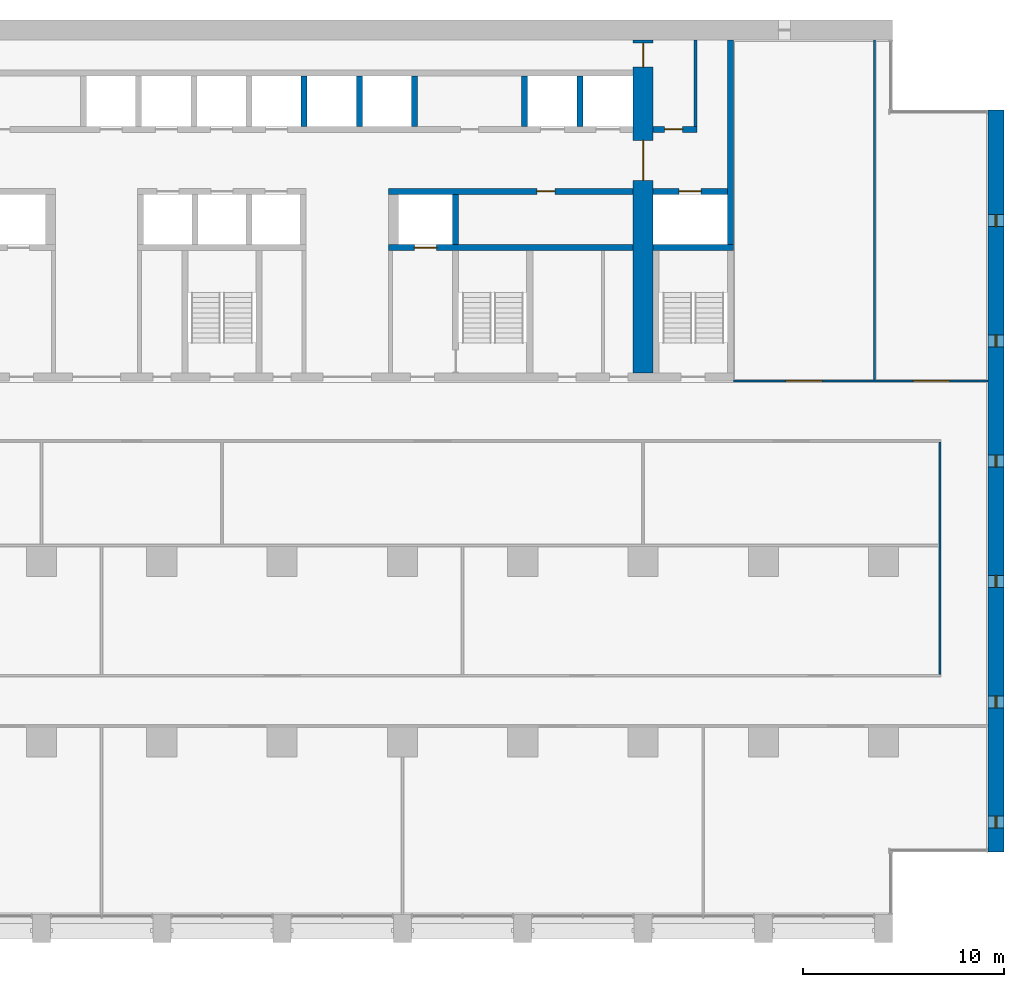
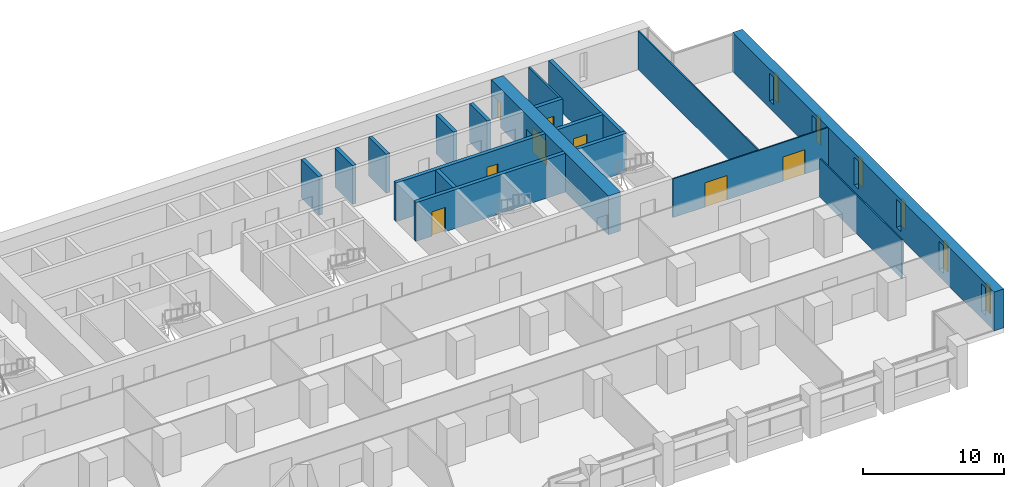
# One storey, part 13 of 18: 18 walls, 8 doors, 6 windows, 14 openings.
"""IFC4 building model written with IfcOpenShell, lengths in metres."""

from ifc_helpers import new_model, si_unit, direction, frame, frame_2d, origin, place, context, subcontext, project, spatial, rectangle, extrude, material, layer, layer_set, type_object, element, fill, save


model = new_model("IFC4")

# Units and contexts
model_context = context("Model", 3, precision=1e-05, world=origin(), true_north=direction((0.0, 1.0)))
body_context = subcontext(model_context, "Body", "Model", "MODEL_VIEW")
ifc_project = project(units=[si_unit("LENGTHUNIT", "METRE"), si_unit("AREAUNIT", "SQUARE_METRE"), si_unit("VOLUMEUNIT", "CUBIC_METRE"), si_unit("PLANEANGLEUNIT", "RADIAN"), si_unit("MASSUNIT", "GRAM", prefix="KILO")], contexts=[model_context])

# Site, building, storey
site_placement = place(None, origin())
site = spatial("IfcSite", under=ifc_project, at=site_placement, CompositionType="ELEMENT")
building_placement = place(site_placement, origin())
building = spatial("IfcBuilding", under=site, at=building_placement, Name="Calvaro Tower", CompositionType="ELEMENT")
storey_placement = place(building_placement, frame((0.0, 0.0, 78.75)))
storey = spatial("IfcBuildingStorey", under=building, at=storey_placement, Name="L19", CompositionType="ELEMENT", Elevation=78.75)

# Wall
ifc_material_1 = material(Name="Blockwork partition", Category="masonry")
ifc_layer_1 = layer(ifc_material_1, 0.14990234375)
ifc_layer_set_1 = layer_set([ifc_layer_1], Name="Blockwork partition")
wall_type_1 = type_object("IfcWallType", Name="Core partition 150 REI 120", PredefinedType="PARTITIONING", material=ifc_layer_set_1)
wall_1_placement = place(storey_placement, frame((62.625, 40.699951171875, 0.0), z_axis=(0.0, 0.0, 1.0), x_axis=(0.0, 1.0, 0.0)))
element("IfcWall", 1, at=wall_1_placement, inside=storey, type_object=wall_type_1, Name="Core partition", PredefinedType="PARTITIONING", context=body_context, shape_type="SweptSolid", body=[
    extrude(rectangle(XDim=4.300048828125, YDim=0.14990234375, at=frame_2d((2.14990234375, 0.0))), origin(), (0.0, 0.0, 1.0), 3.35009765625),
])

# Wall, opening, door
ifc_material_2 = material(Name="Blockwork partition", Category="masonry")
ifc_layer_2 = layer(ifc_material_2, 0.300048828125)
ifc_layer_set_2 = layer_set([ifc_layer_2], Name="Blockwork partition")
wall_type_2 = type_object("IfcWallType", Name="Core partition 300 REI 120", PredefinedType="PARTITIONING", material=ifc_layer_set_2)
wall_2_placement = place(storey_placement, frame((60.5, 40.550048828125, 0.0), z_axis=(0.0, 0.0, 1.0), x_axis=(1.0, 0.0, 0.0)))
wall_2 = element("IfcWall", 2, at=wall_2_placement, inside=storey, type_object=wall_type_2, Name="Core partition", PredefinedType="PARTITIONING", context=body_context, shape_type="SweptSolid", body=[
    extrude(rectangle(XDim=2.199951171875, YDim=0.300048828125, at=frame_2d((1.10009765625, 0.0))), origin(), (0.0, 0.0, 1.0), 3.35009765625),
])
opening_1_placement = place(wall_2_placement, frame((0.574951171875, 0.0, 0.0)))
opening_1 = element("IfcOpeningElement", 3, at=opening_1_placement, cuts=wall_2, Name="Opening RD9E", PredefinedType="OPENING", context=body_context, shape_type="SweptSolid", body=[
    extrude(rectangle(XDim=0.89990234375, YDim=2.10009765625, at=frame_2d((0.449951171875, 1.050048828125))), frame((0.0, 0.159912109375, 0.0), z_axis=(0.0, -1.0, 0.0), x_axis=(1.0, 0.0, 0.0)), (0.0, 0.0, 1.0), 0.320068359375),
])
ifc_material_3 = material(Name="Steel door set", Category="steel")
door_type_1 = type_object("IfcDoorType", Name="Room door 900 FD60", OperationType="SINGLE_SWING_LEFT", PredefinedType="DOOR", material=ifc_material_3)
door_1_placement = place(opening_1_placement, origin())
door_1 = element("IfcDoor", 4, at=door_1_placement, inside=storey, type_object=door_type_1, Name="Room door", OperationType="SINGLE_SWING_LEFT", OverallHeight=2.10009765625, OverallWidth=0.89990234375, PredefinedType="DOOR", context=body_context, shape_type="SweptSolid", body=[
    extrude(rectangle(XDim=0.89990234375, YDim=2.10009765625, at=frame_2d((0.449951171875, 1.050048828125))), frame((0.0, 0.02490234375, 0.0), z_axis=(0.0, -1.0, 0.0), x_axis=(1.0, 0.0, 0.0)), (0.0, 0.0, 1.0), 0.050048828125),
])
fill(opening_1, door_1)

# Wall, openings, doors
ifc_material_4 = material(Name="Concrete C80/95", Category="concrete")
ifc_layer_3 = layer(ifc_material_4, 1.0)
ifc_layer_set_3 = layer_set([ifc_layer_3], Name="Concrete C80/95")
wall_type_3 = type_object("IfcWallType", Name="Core wall C80/95 1000", PredefinedType="SHEAR", material=ifc_layer_set_3)
wall_3_placement = place(storey_placement, frame((60.0, 28.39990234375, 0.0), z_axis=(0.0, 0.0, 1.0), x_axis=(0.0, 1.0, 0.0)))
wall_3 = element("IfcWall", 5, at=wall_3_placement, inside=storey, type_object=wall_type_3, Name="Core wall, cross shear wall", PredefinedType="SHEAR", context=body_context, shape_type="SweptSolid", body=[
    extrude(rectangle(XDim=16.60009765625, YDim=1.0, at=frame_2d((8.300048828125, 0.0))), origin(), (0.0, 0.0, 1.0), 3.35009765625),
])
opening_2_placement = place(wall_3_placement, frame((9.60009765625, 0.0, 0.0)))
opening_2 = element("IfcOpeningElement", 6, at=opening_2_placement, cuts=wall_3, Name="Opening DD20D", PredefinedType="OPENING", context=body_context, shape_type="SweptSolid", body=[
    extrude(rectangle(XDim=2.0, YDim=2.10009765625, at=frame_2d((1.0, 1.050048828125))), frame((0.0, 0.510009765625, 0.0), z_axis=(0.0, -1.0, 0.0), x_axis=(1.0, 0.0, 0.0)), (0.0, 0.0, 1.0), 1.02001953125),
])
opening_3_placement = place(wall_3_placement, frame((15.25, 0.0, 0.0)))
opening_3 = element("IfcOpeningElement", 7, at=opening_3_placement, cuts=wall_3, Name="Opening FD12C", PredefinedType="OPENING", context=body_context, shape_type="SweptSolid", body=[
    extrude(rectangle(XDim=1.199951171875, YDim=2.10009765625, at=frame_2d((0.60009765625, 1.050048828125))), frame((0.0, 0.510009765625, 0.0), z_axis=(0.0, -1.0, 0.0), x_axis=(1.0, 0.0, 0.0)), (0.0, 0.0, 1.0), 1.02001953125),
])
ifc_material_5 = material(Name="Steel door set", Category="steel")
door_type_2 = type_object("IfcDoorType", Name="Fire door 1200 FD30", OperationType="SINGLE_SWING_LEFT", PredefinedType="DOOR", material=ifc_material_5)
door_2_placement = place(opening_3_placement, origin())
door_2 = element("IfcDoor", 8, at=door_2_placement, inside=storey, type_object=door_type_2, Name="Fire door", OperationType="SINGLE_SWING_LEFT", OverallHeight=2.10009765625, OverallWidth=1.199951171875, PredefinedType="DOOR", context=body_context, shape_type="SweptSolid", body=[
    extrude(rectangle(XDim=1.199951171875, YDim=2.10009765625, at=frame_2d((0.60009765625, 1.050048828125))), frame((0.0, 0.02490234375, 0.0), z_axis=(0.0, -1.0, 0.0), x_axis=(1.0, 0.0, 0.0)), (0.0, 0.0, 1.0), 0.050048828125),
])
fill(opening_3, door_2)
ifc_material_6 = material(Name="Steel door set", Category="steel")
door_type_3 = type_object("IfcDoorType", Name="Lobby double door 2000 FD30S", OperationType="DOUBLE_DOOR_SINGLE_SWING", PredefinedType="DOOR", material=ifc_material_6)
door_3_placement = place(opening_2_placement, origin())
door_3 = element("IfcDoor", 9, at=door_3_placement, inside=storey, type_object=door_type_3, Name="Lobby double door", OperationType="DOUBLE_DOOR_SINGLE_SWING", OverallHeight=2.10009765625, OverallWidth=2.0, PredefinedType="DOOR", context=body_context, shape_type="SweptSolid", body=[
    extrude(rectangle(XDim=2.0, YDim=2.10009765625, at=frame_2d((1.0, 1.050048828125))), frame((0.0, 0.02490234375, 0.0), z_axis=(0.0, -1.0, 0.0), x_axis=(1.0, 0.0, 0.0)), (0.0, 0.0, 1.0), 0.050048828125),
])
fill(opening_2, door_3)

# Wall
ifc_material_7 = material(Name="Concrete C80/95", Category="concrete")
ifc_layer_4 = layer(ifc_material_7, 0.300048828125)
ifc_layer_set_4 = layer_set([ifc_layer_4], Name="Concrete C80/95")
wall_type_4 = type_object("IfcWallType", Name="Core wall C80/95 300", PredefinedType="SHEAR", material=ifc_layer_set_4)
wall_4_placement = place(storey_placement, frame((64.35009765625, 34.800048828125, 0.0), z_axis=(0.0, 0.0, 1.0), x_axis=(0.0, 1.0, 0.0)))
element("IfcWall", 10, at=wall_4_placement, inside=storey, type_object=wall_type_4, Name="Core wall, boundary", PredefinedType="SHEAR", context=body_context, shape_type="SweptSolid", body=[
    extrude(rectangle(XDim=10.199951171875, YDim=0.300048828125, at=frame_2d((5.10009765625, 0.0))), origin(), (0.0, 0.0, 1.0), 3.35009765625),
])

# Wall, opening, door
wall_5_placement = place(storey_placement, frame((47.300048828125, 34.64990234375, 0.0), z_axis=(0.0, 0.0, 1.0), x_axis=(1.0, 0.0, 0.0)))
wall_5 = element("IfcWall", 11, at=wall_5_placement, inside=storey, type_object=wall_type_4, Name="Core wall, lift shaft", PredefinedType="SHEAR", context=body_context, shape_type="SweptSolid", body=[
    extrude(rectangle(XDim=12.199951171875, YDim=0.300048828125, at=frame_2d((6.10009765625, 0.0))), origin(), (0.0, 0.0, 1.0), 3.35009765625),
])
opening_4_placement = place(wall_5_placement, frame((1.300048828125, 0.0, 0.0)))
opening_4 = element("IfcOpeningElement", 12, at=opening_4_placement, cuts=wall_5, Name="Opening FF2", PredefinedType="OPENING", context=body_context, shape_type="SweptSolid", body=[
    extrude(rectangle(XDim=1.10009765625, YDim=2.10009765625, at=frame_2d((0.550048828125, 1.050048828125))), frame((0.0, 0.159912109375, 0.0), z_axis=(0.0, -1.0, 0.0), x_axis=(1.0, 0.0, 0.0)), (0.0, 0.0, 1.0), 0.320068359375),
])
ifc_material_8 = material(Name="Stainless steel", Category="steel")
door_type_4 = type_object("IfcDoorType", Name="Landing door 1100 E 60", OperationType="SLIDING_TO_LEFT", PredefinedType="DOOR", material=ifc_material_8)
door_4_placement = place(opening_4_placement, origin())
door_4 = element("IfcDoor", 13, at=door_4_placement, inside=storey, type_object=door_type_4, Name="Landing door FF2", OperationType="SLIDING_TO_LEFT", OverallHeight=2.10009765625, OverallWidth=1.10009765625, PredefinedType="DOOR", context=body_context, shape_type="SweptSolid", body=[
    extrude(rectangle(XDim=1.10009765625, YDim=2.10009765625, at=frame_2d((0.550048828125, 1.050048828125))), frame((0.0, 0.02490234375, 0.0), z_axis=(0.0, -1.0, 0.0), x_axis=(1.0, 0.0, 0.0)), (0.0, 0.0, 1.0), 0.050048828125),
])
fill(opening_4, door_4)

# Wall
wall_6_placement = place(storey_placement, frame((60.5, 34.64990234375, 0.0), z_axis=(0.0, 0.0, 1.0), x_axis=(1.0, 0.0, 0.0)))
element("IfcWall", 14, at=wall_6_placement, inside=storey, type_object=wall_type_4, Name="Core wall, lift shaft", PredefinedType="SHEAR", context=body_context, shape_type="SweptSolid", body=[
    extrude(rectangle(XDim=4.0, YDim=0.300048828125, at=frame_2d((2.0, 0.0))), origin(), (0.0, 0.0, 1.0), 3.35009765625),
])

# Wall, opening, door
wall_7_placement = place(storey_placement, frame((59.5, 37.449951171875, 0.0), z_axis=(0.0, 0.0, 1.0), x_axis=(-1.0, 0.0, 0.0)))
wall_7 = element("IfcWall", 15, at=wall_7_placement, inside=storey, type_object=wall_type_4, Name="Core wall, bay", PredefinedType="SHEAR", context=body_context, shape_type="SweptSolid", body=[
    extrude(rectangle(XDim=12.199951171875, YDim=0.300048828125, at=frame_2d((6.10009765625, 0.0))), origin(), (0.0, 0.0, 1.0), 3.35009765625),
])
opening_5_placement = place(wall_7_placement, frame((3.89990234375, 0.0, 0.0)))
opening_5 = element("IfcOpeningElement", 16, at=opening_5_placement, cuts=wall_7, Name="Opening RD9C", PredefinedType="OPENING", context=body_context, shape_type="SweptSolid", body=[
    extrude(rectangle(XDim=0.89990234375, YDim=2.10009765625, at=frame_2d((0.449951171875, 1.050048828125))), frame((0.0, 0.159912109375, 0.0), z_axis=(0.0, -1.0, 0.0), x_axis=(1.0, 0.0, 0.0)), (0.0, 0.0, 1.0), 0.320068359375),
])
ifc_material_9 = material(Name="Steel door set", Category="steel")
door_type_5 = type_object("IfcDoorType", Name="Room door 900 FD30", OperationType="SINGLE_SWING_LEFT", PredefinedType="DOOR", material=ifc_material_9)
door_5_placement = place(opening_5_placement, origin())
door_5 = element("IfcDoor", 17, at=door_5_placement, inside=storey, type_object=door_type_5, Name="Room door", OperationType="SINGLE_SWING_RIGHT", OverallHeight=2.10009765625, OverallWidth=0.89990234375, PredefinedType="DOOR", context=body_context, shape_type="SweptSolid", body=[
    extrude(rectangle(XDim=0.89990234375, YDim=2.10009765625, at=frame_2d((0.449951171875, 1.050048828125))), frame((0.0, 0.02490234375, 0.0), z_axis=(0.0, -1.0, 0.0), x_axis=(1.0, 0.0, 0.0)), (0.0, 0.0, 1.0), 0.050048828125),
])
fill(opening_5, door_5)

wall_8_placement = place(storey_placement, frame((60.5, 37.449951171875, 0.0), z_axis=(0.0, 0.0, 1.0), x_axis=(1.0, 0.0, 0.0)))
wall_8 = element("IfcWall", 18, at=wall_8_placement, inside=storey, type_object=wall_type_4, Name="Core wall, lift shaft", PredefinedType="SHEAR", context=body_context, shape_type="SweptSolid", body=[
    extrude(rectangle(XDim=3.699951171875, YDim=0.300048828125, at=frame_2d((1.85009765625, 0.0))), origin(), (0.0, 0.0, 1.0), 3.35009765625),
])
opening_6_placement = place(wall_8_placement, frame((1.300048828125, 0.0, 0.0)))
opening_6 = element("IfcOpeningElement", 19, at=opening_6_placement, cuts=wall_8, Name="Opening FF3", PredefinedType="OPENING", context=body_context, shape_type="SweptSolid", body=[
    extrude(rectangle(XDim=1.10009765625, YDim=2.10009765625, at=frame_2d((0.550048828125, 1.050048828125))), frame((0.0, 0.159912109375, 0.0), z_axis=(0.0, -1.0, 0.0), x_axis=(1.0, 0.0, 0.0)), (0.0, 0.0, 1.0), 0.320068359375),
])
door_6_placement = place(opening_6_placement, origin())
door_6 = element("IfcDoor", 20, at=door_6_placement, inside=storey, type_object=door_type_4, Name="Landing door FF3", OperationType="SLIDING_TO_LEFT", OverallHeight=2.10009765625, OverallWidth=1.10009765625, PredefinedType="DOOR", context=body_context, shape_type="SweptSolid", body=[
    extrude(rectangle(XDim=1.10009765625, YDim=2.10009765625, at=frame_2d((0.550048828125, 1.050048828125))), frame((0.0, 0.02490234375, 0.0), z_axis=(0.0, -1.0, 0.0), x_axis=(1.0, 0.0, 0.0)), (0.0, 0.0, 1.0), 0.050048828125),
])
fill(opening_6, door_6)

# Walls
for number, where, z_axis, x_axis, name in (
    (21, (50.64990234375, 34.800048828125, 0.0), (0.0, 0.0, 1.0), (0.0, 1.0, 0.0), "Core wall, lift shaft"),
    (22, (43.10009765625, 40.699951171875, 0.0), (0.0, 0.0, 1.0), (0.0, 1.0, 0.0), "Core wall, lift shaft"),
    (23, (45.85009765625, 40.699951171875, 0.0), (0.0, 0.0, 1.0), (0.0, 1.0, 0.0), "Core wall, lift shaft"),
    (24, (48.60009765625, 40.699951171875, 0.0), (0.0, 0.0, 1.0), (0.0, 1.0, 0.0), "Core wall, lift shaft"),
    (25, (54.10009765625, 40.699951171875, 0.0), (0.0, 0.0, 1.0), (0.0, 1.0, 0.0), "Core wall, lift shaft"),
    (26, (56.85009765625, 40.699951171875, 0.0), (0.0, 0.0, 1.0), (0.0, 1.0, 0.0), "Core wall, lift shaft"),
):
    element("IfcWall", number, at=place(storey_placement, frame(where, z_axis=z_axis, x_axis=x_axis)), inside=storey, type_object=wall_type_4, Name=name, PredefinedType="SHEAR", context=body_context, shape_type="SweptSolid", body=[
        extrude(rectangle(XDim=2.5, YDim=0.300048828125, at=frame_2d((1.25, 0.0))), origin(), (0.0, 0.0, 1.0), 3.35009765625),
    ])

# Wall, openings, windows
ifc_material_10 = material(Name="Concrete C80/95", Category="concrete")
ifc_layer_5 = layer(ifc_material_10, 0.800048828125)
ifc_layer_set_5 = layer_set([ifc_layer_5], Name="Concrete C80/95")
wall_type_5 = type_object("IfcWallType", Name="End wall 800 C80/95", PredefinedType="SHEAR", material=ifc_layer_set_5)
wall_9_placement = place(storey_placement, frame((77.60009765625, 4.5, 0.0), z_axis=(0.0, 0.0, 1.0), x_axis=(0.0, 1.0, 0.0)))
wall_9 = element("IfcWall", 27, at=wall_9_placement, inside=storey, type_object=wall_type_5, Name="End shear wall", PredefinedType="SHEAR", context=body_context, shape_type="SweptSolid", body=[
    extrude(rectangle(XDim=37.0, YDim=0.800048828125, at=frame_2d((18.5, 0.0))), origin(), (0.0, 0.0, 1.0), 3.35009765625),
])
opening_7_placement = place(wall_9_placement, frame((1.199951171875, 0.0, 0.60009765625)))
opening_7 = element("IfcOpeningElement", 28, at=opening_7_placement, cuts=wall_9, Name="Opening WE01", PredefinedType="OPENING", context=body_context, shape_type="SweptSolid", body=[
    extrude(rectangle(XDim=0.60009765625, YDim=2.39990234375, at=frame_2d((0.300048828125, 1.199951171875))), frame((0.0, 0.409912109375, 0.0), z_axis=(0.0, -1.0, 0.0), x_axis=(1.0, 0.0, 0.0)), (0.0, 0.0, 1.0), 0.820068359375),
])
opening_8_placement = place(wall_9_placement, frame((7.199951171875, 0.0, 0.60009765625)))
opening_8 = element("IfcOpeningElement", 29, at=opening_8_placement, cuts=wall_9, Name="Opening WE02", PredefinedType="OPENING", context=body_context, shape_type="SweptSolid", body=[
    extrude(rectangle(XDim=0.60009765625, YDim=2.39990234375, at=frame_2d((0.300048828125, 1.199951171875))), frame((0.0, 0.409912109375, 0.0), z_axis=(0.0, -1.0, 0.0), x_axis=(1.0, 0.0, 0.0)), (0.0, 0.0, 1.0), 0.820068359375),
])
opening_9_placement = place(wall_9_placement, frame((13.199951171875, 0.0, 0.60009765625)))
opening_9 = element("IfcOpeningElement", 30, at=opening_9_placement, cuts=wall_9, Name="Opening WE03", PredefinedType="OPENING", context=body_context, shape_type="SweptSolid", body=[
    extrude(rectangle(XDim=0.60009765625, YDim=2.39990234375, at=frame_2d((0.300048828125, 1.199951171875))), frame((0.0, 0.409912109375, 0.0), z_axis=(0.0, -1.0, 0.0), x_axis=(1.0, 0.0, 0.0)), (0.0, 0.0, 1.0), 0.820068359375),
])
opening_10_placement = place(wall_9_placement, frame((19.199951171875, 0.0, 0.60009765625)))
opening_10 = element("IfcOpeningElement", 31, at=opening_10_placement, cuts=wall_9, Name="Opening WE04", PredefinedType="OPENING", context=body_context, shape_type="SweptSolid", body=[
    extrude(rectangle(XDim=0.60009765625, YDim=2.39990234375, at=frame_2d((0.300048828125, 1.199951171875))), frame((0.0, 0.409912109375, 0.0), z_axis=(0.0, -1.0, 0.0), x_axis=(1.0, 0.0, 0.0)), (0.0, 0.0, 1.0), 0.820068359375),
])
opening_11_placement = place(wall_9_placement, frame((25.199951171875, 0.0, 0.60009765625)))
opening_11 = element("IfcOpeningElement", 32, at=opening_11_placement, cuts=wall_9, Name="Opening WE05", PredefinedType="OPENING", context=body_context, shape_type="SweptSolid", body=[
    extrude(rectangle(XDim=0.60009765625, YDim=2.39990234375, at=frame_2d((0.300048828125, 1.199951171875))), frame((0.0, 0.409912109375, 0.0), z_axis=(0.0, -1.0, 0.0), x_axis=(1.0, 0.0, 0.0)), (0.0, 0.0, 1.0), 0.820068359375),
])
opening_12_placement = place(wall_9_placement, frame((31.199951171875, 0.0, 0.60009765625)))
opening_12 = element("IfcOpeningElement", 33, at=opening_12_placement, cuts=wall_9, Name="Opening WE06", PredefinedType="OPENING", context=body_context, shape_type="SweptSolid", body=[
    extrude(rectangle(XDim=0.60009765625, YDim=2.39990234375, at=frame_2d((0.300048828125, 1.199951171875))), frame((0.0, 0.409912109375, 0.0), z_axis=(0.0, -1.0, 0.0), x_axis=(1.0, 0.0, 0.0)), (0.0, 0.0, 1.0), 0.820068359375),
])
ifc_material_11 = material(Name="Glass", Category="glass")
window_type = type_object("IfcWindowType", Name="Slit window 600 x 2400", PartitioningType="SINGLE_PANEL", PredefinedType="WINDOW", material=ifc_material_11)
window_1_placement = place(opening_7_placement, origin())
window_1 = element("IfcWindow", 34, at=window_1_placement, inside=storey, type_object=window_type, Name="Window WE01", OverallHeight=2.39990234375, OverallWidth=0.60009765625, PartitioningType="SINGLE_PANEL", PredefinedType="WINDOW", context=body_context, shape_type="SweptSolid", body=[
    extrude(rectangle(XDim=0.60009765625, YDim=2.39990234375, at=frame_2d((0.300048828125, 1.199951171875))), frame((0.0, 0.030029296875, 0.0), z_axis=(0.0, -1.0, 0.0), x_axis=(1.0, 0.0, 0.0)), (0.0, 0.0, 1.0), 0.06005859375),
])
fill(opening_7, window_1)
window_2_placement = place(opening_8_placement, origin())
window_2 = element("IfcWindow", 35, at=window_2_placement, inside=storey, type_object=window_type, Name="Window WE02", OverallHeight=2.39990234375, OverallWidth=0.60009765625, PartitioningType="SINGLE_PANEL", PredefinedType="WINDOW", context=body_context, shape_type="SweptSolid", body=[
    extrude(rectangle(XDim=0.60009765625, YDim=2.39990234375, at=frame_2d((0.300048828125, 1.199951171875))), frame((0.0, 0.030029296875, 0.0), z_axis=(0.0, -1.0, 0.0), x_axis=(1.0, 0.0, 0.0)), (0.0, 0.0, 1.0), 0.06005859375),
])
fill(opening_8, window_2)
window_3_placement = place(opening_9_placement, origin())
window_3 = element("IfcWindow", 36, at=window_3_placement, inside=storey, type_object=window_type, Name="Window WE03", OverallHeight=2.39990234375, OverallWidth=0.60009765625, PartitioningType="SINGLE_PANEL", PredefinedType="WINDOW", context=body_context, shape_type="SweptSolid", body=[
    extrude(rectangle(XDim=0.60009765625, YDim=2.39990234375, at=frame_2d((0.300048828125, 1.199951171875))), frame((0.0, 0.030029296875, 0.0), z_axis=(0.0, -1.0, 0.0), x_axis=(1.0, 0.0, 0.0)), (0.0, 0.0, 1.0), 0.06005859375),
])
fill(opening_9, window_3)
window_4_placement = place(opening_10_placement, origin())
window_4 = element("IfcWindow", 37, at=window_4_placement, inside=storey, type_object=window_type, Name="Window WE04", OverallHeight=2.39990234375, OverallWidth=0.60009765625, PartitioningType="SINGLE_PANEL", PredefinedType="WINDOW", context=body_context, shape_type="SweptSolid", body=[
    extrude(rectangle(XDim=0.60009765625, YDim=2.39990234375, at=frame_2d((0.300048828125, 1.199951171875))), frame((0.0, 0.030029296875, 0.0), z_axis=(0.0, -1.0, 0.0), x_axis=(1.0, 0.0, 0.0)), (0.0, 0.0, 1.0), 0.06005859375),
])
fill(opening_10, window_4)
window_5_placement = place(opening_11_placement, origin())
window_5 = element("IfcWindow", 38, at=window_5_placement, inside=storey, type_object=window_type, Name="Window WE05", OverallHeight=2.39990234375, OverallWidth=0.60009765625, PartitioningType="SINGLE_PANEL", PredefinedType="WINDOW", context=body_context, shape_type="SweptSolid", body=[
    extrude(rectangle(XDim=0.60009765625, YDim=2.39990234375, at=frame_2d((0.300048828125, 1.199951171875))), frame((0.0, 0.030029296875, 0.0), z_axis=(0.0, -1.0, 0.0), x_axis=(1.0, 0.0, 0.0)), (0.0, 0.0, 1.0), 0.06005859375),
])
fill(opening_11, window_5)
window_6_placement = place(opening_12_placement, origin())
window_6 = element("IfcWindow", 39, at=window_6_placement, inside=storey, type_object=window_type, Name="Window WE06", OverallHeight=2.39990234375, OverallWidth=0.60009765625, PartitioningType="SINGLE_PANEL", PredefinedType="WINDOW", context=body_context, shape_type="SweptSolid", body=[
    extrude(rectangle(XDim=0.60009765625, YDim=2.39990234375, at=frame_2d((0.300048828125, 1.199951171875))), frame((0.0, 0.030029296875, 0.0), z_axis=(0.0, -1.0, 0.0), x_axis=(1.0, 0.0, 0.0)), (0.0, 0.0, 1.0), 0.06005859375),
])
fill(opening_12, window_6)

# Wall, openings, doors
ifc_material_12 = material(Name="Plasterboard on steel studs", Category="steel")
ifc_layer_6 = layer(ifc_material_12, 0.10009765625)
ifc_layer_set_6 = layer_set([ifc_layer_6], Name="Plasterboard on steel studs")
wall_type_6 = type_object("IfcWallType", Name="Partition 100", PredefinedType="PARTITIONING", material=ifc_layer_set_6)
wall_10_placement = place(storey_placement, frame((64.5, 28.0, 0.0), z_axis=(0.0, 0.0, 1.0), x_axis=(1.0, 0.0, 0.0)))
wall_10 = element("IfcWall", 40, at=wall_10_placement, inside=storey, type_object=wall_type_6, Name="Partition T14.W006", PredefinedType="PARTITIONING", context=body_context, shape_type="SweptSolid", body=[
    extrude(rectangle(XDim=12.699951171875, YDim=0.10009765625, at=frame_2d((6.35009765625, 0.0))), origin(), (0.0, 0.0, 1.0), 3.35009765625),
])
opening_13_placement = place(wall_10_placement, frame((8.97509765625, 0.0, 0.0)))
opening_13 = element("IfcOpeningElement", 41, at=opening_13_placement, cuts=wall_10, Name="Opening T14.017", PredefinedType="OPENING", context=body_context, shape_type="SweptSolid", body=[
    extrude(rectangle(XDim=1.800048828125, YDim=2.10009765625, at=frame_2d((0.89990234375, 1.050048828125))), frame((0.0, 0.06005859375, 0.0), z_axis=(0.0, -1.0, 0.0), x_axis=(1.0, 0.0, 0.0)), (0.0, 0.0, 1.0), 0.1201171875),
])
opening_14_placement = place(wall_10_placement, frame((2.625, 0.0, 0.0)))
opening_14 = element("IfcOpeningElement", 42, at=opening_14_placement, cuts=wall_10, Name="Opening T14.019", PredefinedType="OPENING", context=body_context, shape_type="SweptSolid", body=[
    extrude(rectangle(XDim=1.800048828125, YDim=2.10009765625, at=frame_2d((0.89990234375, 1.050048828125))), frame((0.0, 0.06005859375, 0.0), z_axis=(0.0, -1.0, 0.0), x_axis=(1.0, 0.0, 0.0)), (0.0, 0.0, 1.0), 0.1201171875),
])
ifc_material_13 = material(Name="Timber", Category="wood")
door_type_6 = type_object("IfcDoorType", Name="Internal double door 1800 x 2100", OperationType="DOUBLE_DOOR_SINGLE_SWING", PredefinedType="DOOR", material=ifc_material_13)
door_7_placement = place(opening_13_placement, origin())
door_7 = element("IfcDoor", 43, at=door_7_placement, inside=storey, type_object=door_type_6, Name="Door T14.017", OperationType="DOUBLE_DOOR_SINGLE_SWING", OverallHeight=2.10009765625, OverallWidth=1.800048828125, PredefinedType="DOOR", context=body_context, shape_type="SweptSolid", body=[
    extrude(rectangle(XDim=1.800048828125, YDim=2.10009765625, at=frame_2d((0.89990234375, 1.050048828125))), frame((0.0, 0.02490234375, 0.0), z_axis=(0.0, -1.0, 0.0), x_axis=(1.0, 0.0, 0.0)), (0.0, 0.0, 1.0), 0.050048828125),
])
fill(opening_13, door_7)
door_8_placement = place(opening_14_placement, origin())
door_8 = element("IfcDoor", 44, at=door_8_placement, inside=storey, type_object=door_type_6, Name="Door T14.019", OperationType="DOUBLE_DOOR_SINGLE_SWING", OverallHeight=2.10009765625, OverallWidth=1.800048828125, PredefinedType="DOOR", context=body_context, shape_type="SweptSolid", body=[
    extrude(rectangle(XDim=1.800048828125, YDim=2.10009765625, at=frame_2d((0.89990234375, 1.050048828125))), frame((0.0, 0.02490234375, 0.0), z_axis=(0.0, -1.0, 0.0), x_axis=(1.0, 0.0, 0.0)), (0.0, 0.0, 1.0), 0.050048828125),
])
fill(opening_14, door_8)

# Walls
wall_11_placement = place(storey_placement, frame((71.550048828125, 28.050048828125, 0.0), z_axis=(0.0, 0.0, 1.0), x_axis=(0.0, 1.0, 0.0)))
element("IfcWall", 45, at=wall_11_placement, inside=storey, type_object=wall_type_6, Name="Partition T14.W020", PredefinedType="PARTITIONING", context=body_context, shape_type="SweptSolid", body=[
    extrude(rectangle(XDim=16.949951171875, YDim=0.10009765625, at=frame_2d((8.47509765625, 0.0))), origin(), (0.0, 0.0, 1.0), 3.35009765625),
])
wall_12_placement = place(storey_placement, frame((74.800048828125, 13.35009765625, 0.0), z_axis=(0.0, 0.0, 1.0), x_axis=(0.0, 1.0, 0.0)))
element("IfcWall", 46, at=wall_12_placement, inside=storey, type_object=wall_type_6, Name="Partition T14.W021", PredefinedType="PARTITIONING", context=body_context, shape_type="SweptSolid", body=[
    extrude(rectangle(XDim=11.599853515625, YDim=0.10009765625, at=frame_2d((5.7998046875, 0.0))), origin(), (0.0, 0.0, 1.0), 3.35009765625),
])

save(model, "model.ifc")
